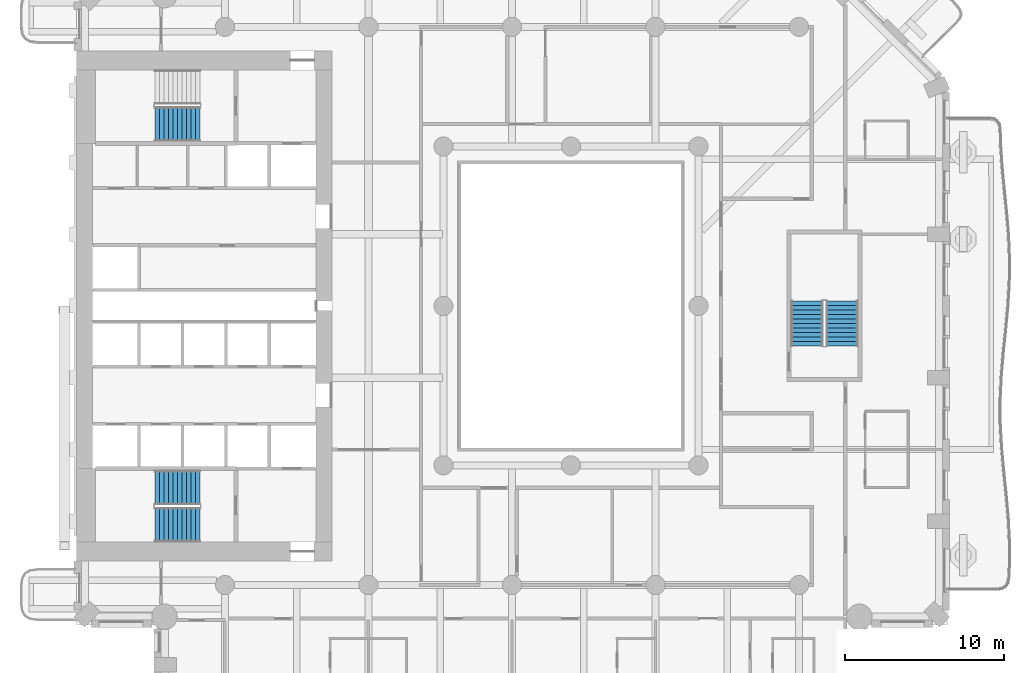
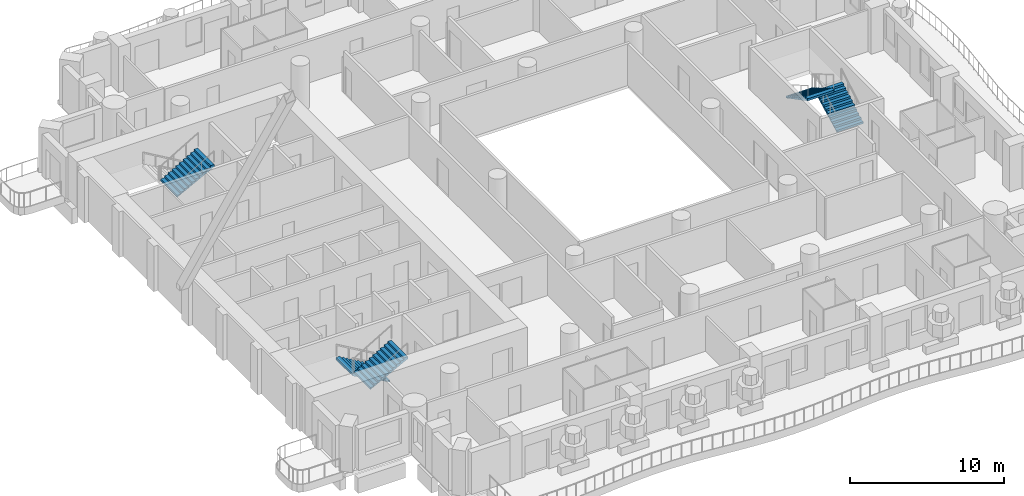
# One storey, part 11 of 20: 5 stair flights, 3 elements without a shape of their own.
"""IFC4 building model written with IfcOpenShell, lengths in metres."""

from ifc_helpers import new_model, si_unit, direction, frame, origin, place, context, subcontext, project, spatial, triangles, material, type_object, element, aggregate, save


model = new_model("IFC4")

# Units and contexts
model_context = context("Model", 3, precision=1e-05, world=origin(), true_north=direction((0.0, 1.0)))
body_context = subcontext(model_context, "Body", "Model", "MODEL_VIEW")
ifc_project = project(units=[si_unit("LENGTHUNIT", "METRE"), si_unit("AREAUNIT", "SQUARE_METRE"), si_unit("VOLUMEUNIT", "CUBIC_METRE"), si_unit("PLANEANGLEUNIT", "RADIAN"), si_unit("MASSUNIT", "GRAM", prefix="KILO")], contexts=[model_context])

# Site, building, storey
site_placement = place(None, origin())
site = spatial("IfcSite", under=ifc_project, at=site_placement, CompositionType="ELEMENT")
building_placement = place(site_placement, origin())
building = spatial("IfcBuilding", under=site, at=building_placement, Name="Cypress Arch Tower", CompositionType="ELEMENT")
storey_placement = place(building_placement, frame((0.0, 0.0, 73.5)))
storey = spatial("IfcBuildingStorey", under=building, at=storey_placement, Name="L12", CompositionType="ELEMENT", Elevation=73.5)

# Stair, stair flights
ifc_material_1 = material(Name="Concrete C40/50", Category="concrete")
stair_type_1 = type_object("IfcStairType", Name="Exit stair ES1636-200", PredefinedType="HALF_TURN_STAIR", material=ifc_material_1)
stair_1_placement = place(storey_placement, origin())
stair_1 = element("IfcStair", 1, at=stair_1_placement, inside=storey, type_object=stair_type_1, Name="L12 Exit stair C", PredefinedType="HALF_TURN_STAIR")
ifc_material_2 = material(Name="Concrete C40/50", Category="concrete")
stair_flight_type_1 = type_object("IfcStairFlightType", Name="Exit stair flight ES1636-200", PredefinedType="STRAIGHT", material=ifc_material_2)
stair_flight_1_placement = place(storey_placement, frame((18.0, -2.5, 0.0), z_axis=(0.0, 0.0, 1.0), x_axis=(0.0, 1.0, 0.0)))
stair_flight_1 = element("IfcStairFlight", 2, at=stair_flight_1_placement, type_object=stair_flight_type_1, Name="C flight 1", NumberOfRisers=11, NumberOfTreads=10, PredefinedType="STRAIGHT", RiserHeight=0.163636364, TreadLength=0.28, context=body_context, shape_type="Tessellation", body=[
    triangles([(0.0, -1.0, 0.0), (0.00048828125, -1.0, 0.054443359375), (0.00048828125, -1.0, 0.109130859375), (0.0, -1.0, 0.16357421875), (0.280029296875, -1.0, 0.16357421875), (0.280029296875, -1.0, 0.327392578125), (0.56005859375, -1.0, 0.327392578125), (0.56005859375, -1.0, 0.490966796875), (0.840087890625, -1.0, 0.490966796875), (0.840087890625, -1.0, 0.654541015625), (1.1201171875, -1.0, 0.654541015625), (1.1201171875, -1.0, 0.818115234375), (1.39990234375, -1.0, 0.818115234375), (1.39990234375, -1.0, 0.98193359375), (1.679931640625, -1.0, 0.98193359375), (1.679931640625, -1.0, 1.1455078125), (1.9599609375, -1.0, 1.1455078125), (1.9599609375, -1.0, 1.30908203125), (2.239990234375, -1.0, 1.30908203125), (2.239990234375, -1.0, 1.47265625), (2.52001953125, -1.0, 1.47265625), (2.52001953125, -1.0, 1.636474609375), (2.800048828125, -1.0, 1.636474609375), (2.799560546875, -1.0, 1.57861328125), (2.799560546875, -1.0, 1.5205078125), (2.800048828125, -1.0, 1.462646484375), (2.800048828125, 1.0, 1.462646484375), (2.799560546875, 1.0, 1.5205078125), (2.799560546875, 1.0, 1.57861328125), (2.800048828125, 1.0, 1.636474609375), (2.52001953125, 1.0, 1.636474609375), (2.52001953125, 1.0, 1.47265625), (2.239990234375, 1.0, 1.47265625), (2.239990234375, 1.0, 1.30908203125), (1.9599609375, 1.0, 1.30908203125), (1.9599609375, 1.0, 1.1455078125), (1.679931640625, 1.0, 1.1455078125), (1.679931640625, 1.0, 0.98193359375), (1.39990234375, 1.0, 0.98193359375), (1.39990234375, 1.0, 0.818115234375), (1.1201171875, 1.0, 0.818115234375), (1.1201171875, 1.0, 0.654541015625), (0.840087890625, 1.0, 0.654541015625), (0.840087890625, 1.0, 0.490966796875), (0.56005859375, 1.0, 0.490966796875), (0.56005859375, 1.0, 0.327392578125), (0.280029296875, 1.0, 0.327392578125), (0.280029296875, 1.0, 0.16357421875), (0.0, 1.0, 0.16357421875), (0.00048828125, 1.0, 0.109130859375), (0.00048828125, 1.0, 0.054443359375), (0.0, 1.0, 0.0), (2.799560546875, 0.0, 1.5205078125), (2.800048828125, 0.0, 1.462646484375), (2.799560546875, 0.0, 1.57861328125), (2.800048828125, 0.0, 1.636474609375), (2.52001953125, 0.0, 1.636474609375), (2.52001953125, 0.0, 1.47265625), (2.239990234375, 0.0, 1.47265625), (2.239990234375, 0.0, 1.30908203125), (1.9599609375, 0.0, 1.30908203125), (1.9599609375, 0.0, 1.1455078125), (1.679931640625, 0.0, 1.1455078125), (1.679931640625, 0.0, 0.98193359375), (1.39990234375, 0.0, 0.98193359375), (1.39990234375, 0.0, 0.818115234375), (1.1201171875, 0.0, 0.818115234375), (1.1201171875, 0.0, 0.654541015625), (0.840087890625, 0.0, 0.654541015625), (0.840087890625, 0.0, 0.490966796875), (0.56005859375, 0.0, 0.490966796875), (0.56005859375, 0.0, 0.327392578125), (0.280029296875, 0.0, 0.327392578125), (0.280029296875, 0.0, 0.16357421875), (0.0, 0.0, 0.16357421875), (0.00048828125, 0.0, 0.109130859375), (0.00048828125, 0.0, 0.054443359375), (0.0, 0.0, 0.0)], [[26, 25, 22], [25, 24, 22], [24, 23, 22], [15, 14, 13], [7, 6, 5], [13, 12, 11], [21, 20, 19], [19, 18, 17], [17, 16, 15], [11, 10, 9], [9, 8, 7], [4, 3, 5], [3, 2, 5], [2, 1, 5], [26, 22, 21], [26, 21, 19], [26, 19, 17], [26, 17, 15], [26, 15, 13], [26, 13, 11], [26, 11, 9], [26, 9, 7], [26, 7, 5], [26, 5, 1], [27, 31, 28], [28, 31, 29], [29, 31, 30], [38, 40, 39], [46, 48, 47], [40, 42, 41], [32, 34, 33], [34, 36, 35], [36, 38, 37], [42, 44, 43], [44, 46, 45], [49, 48, 50], [50, 48, 51], [51, 48, 52], [27, 32, 31], [27, 34, 32], [27, 36, 34], [27, 38, 36], [27, 40, 38], [27, 42, 40], [27, 44, 42], [27, 46, 44], [27, 48, 46], [27, 52, 48], [54, 53, 25], [54, 25, 26], [27, 28, 53], [27, 53, 54], [53, 55, 24], [53, 24, 25], [28, 29, 55], [28, 55, 53], [55, 56, 23], [55, 23, 24], [29, 30, 56], [29, 56, 55], [56, 57, 22], [56, 22, 23], [30, 31, 57], [30, 57, 56], [57, 58, 21], [57, 21, 22], [31, 32, 58], [31, 58, 57], [58, 59, 20], [58, 20, 21], [32, 33, 59], [32, 59, 58], [59, 60, 19], [59, 19, 20], [33, 34, 60], [33, 60, 59], [60, 61, 18], [60, 18, 19], [34, 35, 61], [34, 61, 60], [61, 62, 17], [61, 17, 18], [35, 36, 62], [35, 62, 61], [62, 63, 16], [62, 16, 17], [36, 37, 63], [36, 63, 62], [63, 64, 15], [63, 15, 16], [37, 38, 64], [37, 64, 63], [64, 65, 14], [64, 14, 15], [38, 39, 65], [38, 65, 64], [65, 66, 13], [65, 13, 14], [39, 40, 66], [39, 66, 65], [66, 67, 12], [66, 12, 13], [40, 41, 67], [40, 67, 66], [67, 68, 11], [67, 11, 12], [41, 42, 68], [41, 68, 67], [68, 69, 10], [68, 10, 11], [42, 43, 69], [42, 69, 68], [69, 70, 9], [69, 9, 10], [43, 44, 70], [43, 70, 69], [70, 71, 8], [70, 8, 9], [44, 45, 71], [44, 71, 70], [71, 72, 7], [71, 7, 8], [45, 46, 72], [45, 72, 71], [72, 73, 6], [72, 6, 7], [46, 47, 73], [46, 73, 72], [73, 74, 5], [73, 5, 6], [47, 48, 74], [47, 74, 73], [74, 75, 4], [74, 4, 5], [48, 49, 75], [48, 75, 74], [75, 76, 3], [75, 3, 4], [49, 50, 76], [49, 76, 75], [76, 77, 2], [76, 2, 3], [50, 51, 77], [50, 77, 76], [77, 78, 1], [77, 1, 2], [51, 52, 78], [51, 78, 77], [78, 54, 26], [78, 26, 1], [52, 27, 54], [52, 54, 78]], closed=True),
])
stair_flight_2_placement = place(storey_placement, frame((15.800048828125, 0.300048828125, 1.800048828125), z_axis=(0.0, 0.0, 1.0), x_axis=(0.0, -1.0, 0.0)))
stair_flight_2 = element("IfcStairFlight", 3, at=stair_flight_2_placement, type_object=stair_flight_type_1, Name="C flight 2", NumberOfRisers=11, NumberOfTreads=10, PredefinedType="STRAIGHT", RiserHeight=0.163636364, TreadLength=0.28, context=body_context, shape_type="Tessellation", body=[
    triangles([(0.0, -1.0, 0.0), (0.00048828125, -1.0, 0.054443359375), (0.00048828125, -1.0, 0.109130859375), (0.0, -1.0, 0.16357421875), (0.280029296875, -1.0, 0.16357421875), (0.280029296875, -1.0, 0.327392578125), (0.56005859375, -1.0, 0.327392578125), (0.56005859375, -1.0, 0.490966796875), (0.840087890625, -1.0, 0.490966796875), (0.840087890625, -1.0, 0.654541015625), (1.1201171875, -1.0, 0.654541015625), (1.1201171875, -1.0, 0.818115234375), (1.39990234375, -1.0, 0.818115234375), (1.39990234375, -1.0, 0.98193359375), (1.679931640625, -1.0, 0.98193359375), (1.679931640625, -1.0, 1.1455078125), (1.9599609375, -1.0, 1.1455078125), (1.9599609375, -1.0, 1.30908203125), (2.239990234375, -1.0, 1.30908203125), (2.239990234375, -1.0, 1.47265625), (2.52001953125, -1.0, 1.47265625), (2.52001953125, -1.0, 1.636474609375), (2.800048828125, -1.0, 1.636474609375), (2.799560546875, -1.0, 1.57861328125), (2.799560546875, -1.0, 1.5205078125), (2.800048828125, -1.0, 1.462646484375), (2.800048828125, 1.0, 1.462646484375), (2.799560546875, 1.0, 1.5205078125), (2.799560546875, 1.0, 1.57861328125), (2.800048828125, 1.0, 1.636474609375), (2.52001953125, 1.0, 1.636474609375), (2.52001953125, 1.0, 1.47265625), (2.239990234375, 1.0, 1.47265625), (2.239990234375, 1.0, 1.30908203125), (1.9599609375, 1.0, 1.30908203125), (1.9599609375, 1.0, 1.1455078125), (1.679931640625, 1.0, 1.1455078125), (1.679931640625, 1.0, 0.98193359375), (1.39990234375, 1.0, 0.98193359375), (1.39990234375, 1.0, 0.818115234375), (1.1201171875, 1.0, 0.818115234375), (1.1201171875, 1.0, 0.654541015625), (0.840087890625, 1.0, 0.654541015625), (0.840087890625, 1.0, 0.490966796875), (0.56005859375, 1.0, 0.490966796875), (0.56005859375, 1.0, 0.327392578125), (0.280029296875, 1.0, 0.327392578125), (0.280029296875, 1.0, 0.16357421875), (0.0, 1.0, 0.16357421875), (0.00048828125, 1.0, 0.109130859375), (0.00048828125, 1.0, 0.054443359375), (0.0, 1.0, 0.0), (2.799560546875, 0.0, 1.5205078125), (2.800048828125, 0.0, 1.462646484375), (2.799560546875, 0.0, 1.57861328125), (2.800048828125, 0.0, 1.636474609375), (2.52001953125, 0.0, 1.636474609375), (2.52001953125, 0.0, 1.47265625), (2.239990234375, 0.0, 1.47265625), (2.239990234375, 0.0, 1.30908203125), (1.9599609375, 0.0, 1.30908203125), (1.9599609375, 0.0, 1.1455078125), (1.679931640625, 0.0, 1.1455078125), (1.679931640625, 0.0, 0.98193359375), (1.39990234375, 0.0, 0.98193359375), (1.39990234375, 0.0, 0.818115234375), (1.1201171875, 0.0, 0.818115234375), (1.1201171875, 0.0, 0.654541015625), (0.840087890625, 0.0, 0.654541015625), (0.840087890625, 0.0, 0.490966796875), (0.56005859375, 0.0, 0.490966796875), (0.56005859375, 0.0, 0.327392578125), (0.280029296875, 0.0, 0.327392578125), (0.280029296875, 0.0, 0.16357421875), (0.0, 0.0, 0.16357421875), (0.00048828125, 0.0, 0.109130859375), (0.00048828125, 0.0, 0.054443359375), (0.0, 0.0, 0.0)], [[26, 25, 22], [25, 24, 22], [24, 23, 22], [15, 14, 13], [7, 6, 5], [13, 12, 11], [21, 20, 19], [19, 18, 17], [17, 16, 15], [11, 10, 9], [9, 8, 7], [4, 3, 5], [3, 2, 5], [2, 1, 5], [26, 22, 21], [26, 21, 19], [26, 19, 17], [26, 17, 15], [26, 15, 13], [26, 13, 11], [26, 11, 9], [26, 9, 7], [26, 7, 5], [26, 5, 1], [27, 31, 28], [28, 31, 29], [29, 31, 30], [38, 40, 39], [46, 48, 47], [40, 42, 41], [32, 34, 33], [34, 36, 35], [36, 38, 37], [42, 44, 43], [44, 46, 45], [49, 48, 50], [50, 48, 51], [51, 48, 52], [27, 32, 31], [27, 34, 32], [27, 36, 34], [27, 38, 36], [27, 40, 38], [27, 42, 40], [27, 44, 42], [27, 46, 44], [27, 48, 46], [27, 52, 48], [54, 53, 25], [54, 25, 26], [27, 28, 53], [27, 53, 54], [53, 55, 24], [53, 24, 25], [28, 29, 55], [28, 55, 53], [55, 56, 23], [55, 23, 24], [29, 30, 56], [29, 56, 55], [56, 57, 22], [56, 22, 23], [30, 31, 57], [30, 57, 56], [57, 58, 21], [57, 21, 22], [31, 32, 58], [31, 58, 57], [58, 59, 20], [58, 20, 21], [32, 33, 59], [32, 59, 58], [59, 60, 19], [59, 19, 20], [33, 34, 60], [33, 60, 59], [60, 61, 18], [60, 18, 19], [34, 35, 61], [34, 61, 60], [61, 62, 17], [61, 17, 18], [35, 36, 62], [35, 62, 61], [62, 63, 16], [62, 16, 17], [36, 37, 63], [36, 63, 62], [63, 64, 15], [63, 15, 16], [37, 38, 64], [37, 64, 63], [64, 65, 14], [64, 14, 15], [38, 39, 65], [38, 65, 64], [65, 66, 13], [65, 13, 14], [39, 40, 66], [39, 66, 65], [66, 67, 12], [66, 12, 13], [40, 41, 67], [40, 67, 66], [67, 68, 11], [67, 11, 12], [41, 42, 68], [41, 68, 67], [68, 69, 10], [68, 10, 11], [42, 43, 69], [42, 69, 68], [69, 70, 9], [69, 9, 10], [43, 44, 70], [43, 70, 69], [70, 71, 8], [70, 8, 9], [44, 45, 71], [44, 71, 70], [71, 72, 7], [71, 7, 8], [45, 46, 72], [45, 72, 71], [72, 73, 6], [72, 6, 7], [46, 47, 73], [46, 73, 72], [73, 74, 5], [73, 5, 6], [47, 48, 74], [47, 74, 73], [74, 75, 4], [74, 4, 5], [48, 49, 75], [48, 75, 74], [75, 76, 3], [75, 3, 4], [49, 50, 76], [49, 76, 75], [76, 77, 2], [76, 2, 3], [50, 51, 77], [50, 77, 76], [77, 78, 1], [77, 1, 2], [51, 52, 78], [51, 78, 77], [78, 54, 26], [78, 26, 1], [52, 27, 54], [52, 54, 78]], closed=True),
])
aggregate(stair_1, [stair_flight_1, stair_flight_2])

ifc_material_3 = material(Name="Concrete C40/50", Category="concrete")
stair_type_2 = type_object("IfcStairType", Name="Exit stair ES1636-215", PredefinedType="HALF_TURN_STAIR", material=ifc_material_3)
stair_2_placement = place(storey_placement, origin())
stair_2 = element("IfcStair", 4, at=stair_2_placement, inside=storey, type_object=stair_type_2, Name="L12 Exit stair A", PredefinedType="HALF_TURN_STAIR")
ifc_material_4 = material(Name="Concrete C40/50", Category="concrete")
stair_flight_type_2 = type_object("IfcStairFlightType", Name="Exit stair flight ES1636-215", PredefinedType="STRAIGHT", material=ifc_material_4)
stair_flight_3_placement = place(storey_placement, frame((-22.27490234375, -11.39990234375, 0.0), z_axis=(0.0, 0.0, 1.0), x_axis=(-1.0, 0.0, 0.0)))
stair_flight_3 = element("IfcStairFlight", 5, at=stair_flight_3_placement, type_object=stair_flight_type_2, Name="A flight 1", NumberOfRisers=11, NumberOfTreads=10, PredefinedType="STRAIGHT", RiserHeight=0.163636364, TreadLength=0.28, context=body_context, shape_type="Tessellation", body=[
    triangles([(0.0, -1.074951171875, 0.0), (0.000244140625, -1.074951171875, 0.03271484375), (0.00048828125, -1.074951171875, 0.0654296875), (0.00048828125, -1.074951171875, 0.09814453125), (0.000244140625, -1.074951171875, 0.130859375), (0.0, -1.074951171875, 0.16357421875), (0.280029296875, -1.074951171875, 0.16357421875), (0.280029296875, -1.074951171875, 0.327392578125), (0.56005859375, -1.074951171875, 0.327392578125), (0.56005859375, -1.074951171875, 0.490966796875), (0.840087890625, -1.074951171875, 0.490966796875), (0.840087890625, -1.074951171875, 0.654541015625), (1.1201171875, -1.074951171875, 0.654541015625), (1.1201171875, -1.074951171875, 0.818115234375), (1.39990234375, -1.074951171875, 0.818115234375), (1.39990234375, -1.074951171875, 0.98193359375), (1.679931640625, -1.074951171875, 0.98193359375), (1.679931640625, -1.074951171875, 1.1455078125), (1.9599609375, -1.074951171875, 1.1455078125), (1.9599609375, -1.074951171875, 1.30908203125), (2.239990234375, -1.074951171875, 1.30908203125), (2.239990234375, -1.074951171875, 1.47265625), (2.52001953125, -1.074951171875, 1.47265625), (2.52001953125, -1.074951171875, 1.636474609375), (2.800048828125, -1.074951171875, 1.636474609375), (2.7998046875, -1.074951171875, 1.601806640625), (2.799560546875, -1.074951171875, 1.56689453125), (2.799560546875, -1.074951171875, 1.5322265625), (2.7998046875, -1.074951171875, 1.497314453125), (2.800048828125, -1.074951171875, 1.462646484375), (2.800048828125, 1.074951171875, 1.462646484375), (2.7998046875, 1.074951171875, 1.497314453125), (2.799560546875, 1.074951171875, 1.5322265625), (2.799560546875, 1.074951171875, 1.56689453125), (2.7998046875, 1.074951171875, 1.601806640625), (2.800048828125, 1.074951171875, 1.636474609375), (2.52001953125, 1.074951171875, 1.636474609375), (2.52001953125, 1.074951171875, 1.47265625), (2.239990234375, 1.074951171875, 1.47265625), (2.239990234375, 1.074951171875, 1.30908203125), (1.9599609375, 1.074951171875, 1.30908203125), (1.9599609375, 1.074951171875, 1.1455078125), (1.679931640625, 1.074951171875, 1.1455078125), (1.679931640625, 1.074951171875, 0.98193359375), (1.39990234375, 1.074951171875, 0.98193359375), (1.39990234375, 1.074951171875, 0.818115234375), (1.1201171875, 1.074951171875, 0.818115234375), (1.1201171875, 1.074951171875, 0.654541015625), (0.840087890625, 1.074951171875, 0.654541015625), (0.840087890625, 1.074951171875, 0.490966796875), (0.56005859375, 1.074951171875, 0.490966796875), (0.56005859375, 1.074951171875, 0.327392578125), (0.280029296875, 1.074951171875, 0.327392578125), (0.280029296875, 1.074951171875, 0.16357421875), (0.0, 1.074951171875, 0.16357421875), (0.000244140625, 1.074951171875, 0.130859375), (0.00048828125, 1.074951171875, 0.09814453125), (0.00048828125, 1.074951171875, 0.0654296875), (0.000244140625, 1.074951171875, 0.03271484375), (0.0, 1.074951171875, 0.0), (2.7998046875, 0.0, 1.497314453125), (2.800048828125, 0.0, 1.462646484375), (2.799560546875, 0.0, 1.5322265625), (2.799560546875, 0.0, 1.56689453125), (2.7998046875, 0.0, 1.601806640625), (2.800048828125, 0.0, 1.636474609375), (2.52001953125, 0.0, 1.636474609375), (2.52001953125, 0.0, 1.47265625), (2.239990234375, 0.0, 1.47265625), (2.239990234375, 0.0, 1.30908203125), (1.9599609375, 0.0, 1.30908203125), (1.9599609375, 0.0, 1.1455078125), (1.679931640625, 0.0, 1.1455078125), (1.679931640625, 0.0, 0.98193359375), (1.39990234375, 0.0, 0.98193359375), (1.39990234375, 0.0, 0.818115234375), (1.1201171875, 0.0, 0.818115234375), (1.1201171875, 0.0, 0.654541015625), (0.840087890625, 0.0, 0.654541015625), (0.840087890625, 0.0, 0.490966796875), (0.56005859375, 0.0, 0.490966796875), (0.56005859375, 0.0, 0.327392578125), (0.280029296875, 0.0, 0.327392578125), (0.280029296875, 0.0, 0.16357421875), (0.0, 0.0, 0.16357421875), (0.000244140625, 0.0, 0.130859375), (0.00048828125, 0.0, 0.09814453125), (0.00048828125, 0.0, 0.0654296875), (0.000244140625, 0.0, 0.03271484375), (0.0, 0.0, 0.0)], [[30, 29, 24], [29, 28, 24], [28, 27, 24], [27, 26, 24], [26, 25, 24], [17, 16, 15], [9, 8, 7], [15, 14, 13], [23, 22, 21], [21, 20, 19], [19, 18, 17], [13, 12, 11], [11, 10, 9], [6, 5, 7], [5, 4, 7], [4, 3, 7], [3, 2, 7], [2, 1, 7], [30, 24, 23], [30, 23, 21], [30, 21, 19], [30, 19, 17], [30, 17, 15], [30, 15, 13], [30, 13, 11], [30, 11, 9], [30, 9, 7], [30, 7, 1], [31, 37, 32], [32, 37, 33], [33, 37, 34], [34, 37, 35], [35, 37, 36], [44, 46, 45], [52, 54, 53], [46, 48, 47], [38, 40, 39], [40, 42, 41], [42, 44, 43], [48, 50, 49], [50, 52, 51], [55, 54, 56], [56, 54, 57], [57, 54, 58], [58, 54, 59], [59, 54, 60], [31, 38, 37], [31, 40, 38], [31, 42, 40], [31, 44, 42], [31, 46, 44], [31, 48, 46], [31, 50, 48], [31, 52, 50], [31, 54, 52], [31, 60, 54], [62, 61, 29], [62, 29, 30], [31, 32, 61], [31, 61, 62], [61, 63, 28], [61, 28, 29], [32, 33, 63], [32, 63, 61], [63, 64, 27], [63, 27, 28], [33, 34, 64], [33, 64, 63], [64, 65, 26], [64, 26, 27], [34, 35, 65], [34, 65, 64], [65, 66, 25], [65, 25, 26], [35, 36, 66], [35, 66, 65], [66, 67, 24], [66, 24, 25], [36, 37, 67], [36, 67, 66], [67, 68, 23], [67, 23, 24], [37, 38, 68], [37, 68, 67], [68, 69, 22], [68, 22, 23], [38, 39, 69], [38, 69, 68], [69, 70, 21], [69, 21, 22], [39, 40, 70], [39, 70, 69], [70, 71, 20], [70, 20, 21], [40, 41, 71], [40, 71, 70], [71, 72, 19], [71, 19, 20], [41, 42, 72], [41, 72, 71], [72, 73, 18], [72, 18, 19], [42, 43, 73], [42, 73, 72], [73, 74, 17], [73, 17, 18], [43, 44, 74], [43, 74, 73], [74, 75, 16], [74, 16, 17], [44, 45, 75], [44, 75, 74], [75, 76, 15], [75, 15, 16], [45, 46, 76], [45, 76, 75], [76, 77, 14], [76, 14, 15], [46, 47, 77], [46, 77, 76], [77, 78, 13], [77, 13, 14], [47, 48, 78], [47, 78, 77], [78, 79, 12], [78, 12, 13], [48, 49, 79], [48, 79, 78], [79, 80, 11], [79, 11, 12], [49, 50, 80], [49, 80, 79], [80, 81, 10], [80, 10, 11], [50, 51, 81], [50, 81, 80], [81, 82, 9], [81, 9, 10], [51, 52, 82], [51, 82, 81], [82, 83, 8], [82, 8, 9], [52, 53, 83], [52, 83, 82], [83, 84, 7], [83, 7, 8], [53, 54, 84], [53, 84, 83], [84, 85, 6], [84, 6, 7], [54, 55, 85], [54, 85, 84], [85, 86, 5], [85, 5, 6], [55, 56, 86], [55, 86, 85], [86, 87, 4], [86, 4, 5], [56, 57, 87], [56, 87, 86], [87, 88, 3], [87, 3, 4], [57, 58, 88], [57, 88, 87], [88, 89, 2], [88, 2, 3], [58, 59, 89], [58, 89, 88], [89, 90, 1], [89, 1, 2], [59, 60, 90], [59, 90, 89], [90, 62, 30], [90, 30, 1], [60, 31, 62], [60, 62, 90]], closed=True),
])
stair_flight_4_placement = place(storey_placement, frame((-25.074951171875, -13.72509765625, 1.800048828125), z_axis=(0.0, 0.0, 1.0), x_axis=(1.0, 0.0, 0.0)))
stair_flight_4 = element("IfcStairFlight", 6, at=stair_flight_4_placement, type_object=stair_flight_type_2, Name="A flight 2", NumberOfRisers=11, NumberOfTreads=10, PredefinedType="STRAIGHT", RiserHeight=0.163636364, TreadLength=0.28, context=body_context, shape_type="Tessellation", body=[
    triangles([(0.0, -1.074951171875, 0.0), (0.000244140625, -1.074951171875, 0.03271484375), (0.00048828125, -1.074951171875, 0.0654296875), (0.00048828125, -1.074951171875, 0.09814453125), (0.000244140625, -1.074951171875, 0.130859375), (0.0, -1.074951171875, 0.16357421875), (0.280029296875, -1.074951171875, 0.16357421875), (0.280029296875, -1.074951171875, 0.327392578125), (0.56005859375, -1.074951171875, 0.327392578125), (0.56005859375, -1.074951171875, 0.490966796875), (0.840087890625, -1.074951171875, 0.490966796875), (0.840087890625, -1.074951171875, 0.654541015625), (1.1201171875, -1.074951171875, 0.654541015625), (1.1201171875, -1.074951171875, 0.818115234375), (1.39990234375, -1.074951171875, 0.818115234375), (1.39990234375, -1.074951171875, 0.98193359375), (1.679931640625, -1.074951171875, 0.98193359375), (1.679931640625, -1.074951171875, 1.1455078125), (1.9599609375, -1.074951171875, 1.1455078125), (1.9599609375, -1.074951171875, 1.30908203125), (2.239990234375, -1.074951171875, 1.30908203125), (2.239990234375, -1.074951171875, 1.47265625), (2.52001953125, -1.074951171875, 1.47265625), (2.52001953125, -1.074951171875, 1.636474609375), (2.800048828125, -1.074951171875, 1.636474609375), (2.7998046875, -1.074951171875, 1.601806640625), (2.799560546875, -1.074951171875, 1.56689453125), (2.799560546875, -1.074951171875, 1.5322265625), (2.7998046875, -1.074951171875, 1.497314453125), (2.800048828125, -1.074951171875, 1.462646484375), (2.800048828125, 1.074951171875, 1.462646484375), (2.7998046875, 1.074951171875, 1.497314453125), (2.799560546875, 1.074951171875, 1.5322265625), (2.799560546875, 1.074951171875, 1.56689453125), (2.7998046875, 1.074951171875, 1.601806640625), (2.800048828125, 1.074951171875, 1.636474609375), (2.52001953125, 1.074951171875, 1.636474609375), (2.52001953125, 1.074951171875, 1.47265625), (2.239990234375, 1.074951171875, 1.47265625), (2.239990234375, 1.074951171875, 1.30908203125), (1.9599609375, 1.074951171875, 1.30908203125), (1.9599609375, 1.074951171875, 1.1455078125), (1.679931640625, 1.074951171875, 1.1455078125), (1.679931640625, 1.074951171875, 0.98193359375), (1.39990234375, 1.074951171875, 0.98193359375), (1.39990234375, 1.074951171875, 0.818115234375), (1.1201171875, 1.074951171875, 0.818115234375), (1.1201171875, 1.074951171875, 0.654541015625), (0.840087890625, 1.074951171875, 0.654541015625), (0.840087890625, 1.074951171875, 0.490966796875), (0.56005859375, 1.074951171875, 0.490966796875), (0.56005859375, 1.074951171875, 0.327392578125), (0.280029296875, 1.074951171875, 0.327392578125), (0.280029296875, 1.074951171875, 0.16357421875), (0.0, 1.074951171875, 0.16357421875), (0.000244140625, 1.074951171875, 0.130859375), (0.00048828125, 1.074951171875, 0.09814453125), (0.00048828125, 1.074951171875, 0.0654296875), (0.000244140625, 1.074951171875, 0.03271484375), (0.0, 1.074951171875, 0.0), (2.7998046875, 0.0, 1.497314453125), (2.800048828125, 0.0, 1.462646484375), (2.799560546875, 0.0, 1.5322265625), (2.799560546875, 0.0, 1.56689453125), (2.7998046875, 0.0, 1.601806640625), (2.800048828125, 0.0, 1.636474609375), (2.52001953125, 0.0, 1.636474609375), (2.52001953125, 0.0, 1.47265625), (2.239990234375, 0.0, 1.47265625), (2.239990234375, 0.0, 1.30908203125), (1.9599609375, 0.0, 1.30908203125), (1.9599609375, 0.0, 1.1455078125), (1.679931640625, 0.0, 1.1455078125), (1.679931640625, 0.0, 0.98193359375), (1.39990234375, 0.0, 0.98193359375), (1.39990234375, 0.0, 0.818115234375), (1.1201171875, 0.0, 0.818115234375), (1.1201171875, 0.0, 0.654541015625), (0.840087890625, 0.0, 0.654541015625), (0.840087890625, 0.0, 0.490966796875), (0.56005859375, 0.0, 0.490966796875), (0.56005859375, 0.0, 0.327392578125), (0.280029296875, 0.0, 0.327392578125), (0.280029296875, 0.0, 0.16357421875), (0.0, 0.0, 0.16357421875), (0.000244140625, 0.0, 0.130859375), (0.00048828125, 0.0, 0.09814453125), (0.00048828125, 0.0, 0.0654296875), (0.000244140625, 0.0, 0.03271484375), (0.0, 0.0, 0.0)], [[30, 29, 24], [29, 28, 24], [28, 27, 24], [27, 26, 24], [26, 25, 24], [17, 16, 15], [9, 8, 7], [15, 14, 13], [23, 22, 21], [21, 20, 19], [19, 18, 17], [13, 12, 11], [11, 10, 9], [6, 5, 7], [5, 4, 7], [4, 3, 7], [3, 2, 7], [2, 1, 7], [30, 24, 23], [30, 23, 21], [30, 21, 19], [30, 19, 17], [30, 17, 15], [30, 15, 13], [30, 13, 11], [30, 11, 9], [30, 9, 7], [30, 7, 1], [31, 37, 32], [32, 37, 33], [33, 37, 34], [34, 37, 35], [35, 37, 36], [44, 46, 45], [52, 54, 53], [46, 48, 47], [38, 40, 39], [40, 42, 41], [42, 44, 43], [48, 50, 49], [50, 52, 51], [55, 54, 56], [56, 54, 57], [57, 54, 58], [58, 54, 59], [59, 54, 60], [31, 38, 37], [31, 40, 38], [31, 42, 40], [31, 44, 42], [31, 46, 44], [31, 48, 46], [31, 50, 48], [31, 52, 50], [31, 54, 52], [31, 60, 54], [62, 61, 29], [62, 29, 30], [31, 32, 61], [31, 61, 62], [61, 63, 28], [61, 28, 29], [32, 33, 63], [32, 63, 61], [63, 64, 27], [63, 27, 28], [33, 34, 64], [33, 64, 63], [64, 65, 26], [64, 26, 27], [34, 35, 65], [34, 65, 64], [65, 66, 25], [65, 25, 26], [35, 36, 66], [35, 66, 65], [66, 67, 24], [66, 24, 25], [36, 37, 67], [36, 67, 66], [67, 68, 23], [67, 23, 24], [37, 38, 68], [37, 68, 67], [68, 69, 22], [68, 22, 23], [38, 39, 69], [38, 69, 68], [69, 70, 21], [69, 21, 22], [39, 40, 70], [39, 70, 69], [70, 71, 20], [70, 20, 21], [40, 41, 71], [40, 71, 70], [71, 72, 19], [71, 19, 20], [41, 42, 72], [41, 72, 71], [72, 73, 18], [72, 18, 19], [42, 43, 73], [42, 73, 72], [73, 74, 17], [73, 17, 18], [43, 44, 74], [43, 74, 73], [74, 75, 16], [74, 16, 17], [44, 45, 75], [44, 75, 74], [75, 76, 15], [75, 15, 16], [45, 46, 76], [45, 76, 75], [76, 77, 14], [76, 14, 15], [46, 47, 77], [46, 77, 76], [77, 78, 13], [77, 13, 14], [47, 48, 78], [47, 78, 77], [78, 79, 12], [78, 12, 13], [48, 49, 79], [48, 79, 78], [79, 80, 11], [79, 11, 12], [49, 50, 80], [49, 80, 79], [80, 81, 10], [80, 10, 11], [50, 51, 81], [50, 81, 80], [81, 82, 9], [81, 9, 10], [51, 52, 82], [51, 82, 81], [82, 83, 8], [82, 8, 9], [52, 53, 83], [52, 83, 82], [83, 84, 7], [83, 7, 8], [53, 54, 84], [53, 84, 83], [84, 85, 6], [84, 6, 7], [54, 55, 85], [54, 85, 84], [85, 86, 5], [85, 5, 6], [55, 56, 86], [55, 86, 85], [86, 87, 4], [86, 4, 5], [56, 57, 87], [56, 87, 86], [87, 88, 3], [87, 3, 4], [57, 58, 88], [57, 88, 87], [88, 89, 2], [88, 2, 3], [58, 59, 89], [58, 89, 88], [89, 90, 1], [89, 1, 2], [59, 60, 90], [59, 90, 89], [90, 62, 30], [90, 30, 1], [60, 31, 62], [60, 62, 90]], closed=True),
])
aggregate(stair_2, [stair_flight_3, stair_flight_4])

# Stair, stair flight
stair_3_placement = place(storey_placement, origin())
stair_3 = element("IfcStair", 7, at=stair_3_placement, inside=storey, type_object=stair_type_2, Name="L12 Exit stair B", PredefinedType="HALF_TURN_STAIR")
stair_flight_5_placement = place(storey_placement, frame((-25.074951171875, 11.39990234375, 1.800048828125), z_axis=(0.0, 0.0, 1.0), x_axis=(1.0, 0.0, 0.0)))
stair_flight_5 = element("IfcStairFlight", 8, at=stair_flight_5_placement, type_object=stair_flight_type_2, Name="B flight 2", NumberOfRisers=11, NumberOfTreads=10, PredefinedType="STRAIGHT", RiserHeight=0.163636364, TreadLength=0.28, context=body_context, shape_type="Tessellation", body=[
    triangles([(0.0, -1.074951171875, 0.0), (0.000244140625, -1.074951171875, 0.03271484375), (0.00048828125, -1.074951171875, 0.0654296875), (0.00048828125, -1.074951171875, 0.09814453125), (0.000244140625, -1.074951171875, 0.130859375), (0.0, -1.074951171875, 0.16357421875), (0.280029296875, -1.074951171875, 0.16357421875), (0.280029296875, -1.074951171875, 0.327392578125), (0.56005859375, -1.074951171875, 0.327392578125), (0.56005859375, -1.074951171875, 0.490966796875), (0.840087890625, -1.074951171875, 0.490966796875), (0.840087890625, -1.074951171875, 0.654541015625), (1.1201171875, -1.074951171875, 0.654541015625), (1.1201171875, -1.074951171875, 0.818115234375), (1.39990234375, -1.074951171875, 0.818115234375), (1.39990234375, -1.074951171875, 0.98193359375), (1.679931640625, -1.074951171875, 0.98193359375), (1.679931640625, -1.074951171875, 1.1455078125), (1.9599609375, -1.074951171875, 1.1455078125), (1.9599609375, -1.074951171875, 1.30908203125), (2.239990234375, -1.074951171875, 1.30908203125), (2.239990234375, -1.074951171875, 1.47265625), (2.52001953125, -1.074951171875, 1.47265625), (2.52001953125, -1.074951171875, 1.636474609375), (2.800048828125, -1.074951171875, 1.636474609375), (2.7998046875, -1.074951171875, 1.601806640625), (2.799560546875, -1.074951171875, 1.56689453125), (2.799560546875, -1.074951171875, 1.5322265625), (2.7998046875, -1.074951171875, 1.497314453125), (2.800048828125, -1.074951171875, 1.462646484375), (2.800048828125, 1.074951171875, 1.462646484375), (2.7998046875, 1.074951171875, 1.497314453125), (2.799560546875, 1.074951171875, 1.5322265625), (2.799560546875, 1.074951171875, 1.56689453125), (2.7998046875, 1.074951171875, 1.601806640625), (2.800048828125, 1.074951171875, 1.636474609375), (2.52001953125, 1.074951171875, 1.636474609375), (2.52001953125, 1.074951171875, 1.47265625), (2.239990234375, 1.074951171875, 1.47265625), (2.239990234375, 1.074951171875, 1.30908203125), (1.9599609375, 1.074951171875, 1.30908203125), (1.9599609375, 1.074951171875, 1.1455078125), (1.679931640625, 1.074951171875, 1.1455078125), (1.679931640625, 1.074951171875, 0.98193359375), (1.39990234375, 1.074951171875, 0.98193359375), (1.39990234375, 1.074951171875, 0.818115234375), (1.1201171875, 1.074951171875, 0.818115234375), (1.1201171875, 1.074951171875, 0.654541015625), (0.840087890625, 1.074951171875, 0.654541015625), (0.840087890625, 1.074951171875, 0.490966796875), (0.56005859375, 1.074951171875, 0.490966796875), (0.56005859375, 1.074951171875, 0.327392578125), (0.280029296875, 1.074951171875, 0.327392578125), (0.280029296875, 1.074951171875, 0.16357421875), (0.0, 1.074951171875, 0.16357421875), (0.000244140625, 1.074951171875, 0.130859375), (0.00048828125, 1.074951171875, 0.09814453125), (0.00048828125, 1.074951171875, 0.0654296875), (0.000244140625, 1.074951171875, 0.03271484375), (0.0, 1.074951171875, 0.0), (2.7998046875, 0.0, 1.497314453125), (2.800048828125, 0.0, 1.462646484375), (2.799560546875, 0.0, 1.5322265625), (2.799560546875, 0.0, 1.56689453125), (2.7998046875, 0.0, 1.601806640625), (2.800048828125, 0.0, 1.636474609375), (2.52001953125, 0.0, 1.636474609375), (2.52001953125, 0.0, 1.47265625), (2.239990234375, 0.0, 1.47265625), (2.239990234375, 0.0, 1.30908203125), (1.9599609375, 0.0, 1.30908203125), (1.9599609375, 0.0, 1.1455078125), (1.679931640625, 0.0, 1.1455078125), (1.679931640625, 0.0, 0.98193359375), (1.39990234375, 0.0, 0.98193359375), (1.39990234375, 0.0, 0.818115234375), (1.1201171875, 0.0, 0.818115234375), (1.1201171875, 0.0, 0.654541015625), (0.840087890625, 0.0, 0.654541015625), (0.840087890625, 0.0, 0.490966796875), (0.56005859375, 0.0, 0.490966796875), (0.56005859375, 0.0, 0.327392578125), (0.280029296875, 0.0, 0.327392578125), (0.280029296875, 0.0, 0.16357421875), (0.0, 0.0, 0.16357421875), (0.000244140625, 0.0, 0.130859375), (0.00048828125, 0.0, 0.09814453125), (0.00048828125, 0.0, 0.0654296875), (0.000244140625, 0.0, 0.03271484375), (0.0, 0.0, 0.0)], [[30, 29, 24], [29, 28, 24], [28, 27, 24], [27, 26, 24], [26, 25, 24], [17, 16, 15], [9, 8, 7], [15, 14, 13], [23, 22, 21], [21, 20, 19], [19, 18, 17], [13, 12, 11], [11, 10, 9], [6, 5, 7], [5, 4, 7], [4, 3, 7], [3, 2, 7], [2, 1, 7], [30, 24, 23], [30, 23, 21], [30, 21, 19], [30, 19, 17], [30, 17, 15], [30, 15, 13], [30, 13, 11], [30, 11, 9], [30, 9, 7], [30, 7, 1], [31, 37, 32], [32, 37, 33], [33, 37, 34], [34, 37, 35], [35, 37, 36], [44, 46, 45], [52, 54, 53], [46, 48, 47], [38, 40, 39], [40, 42, 41], [42, 44, 43], [48, 50, 49], [50, 52, 51], [55, 54, 56], [56, 54, 57], [57, 54, 58], [58, 54, 59], [59, 54, 60], [31, 38, 37], [31, 40, 38], [31, 42, 40], [31, 44, 42], [31, 46, 44], [31, 48, 46], [31, 50, 48], [31, 52, 50], [31, 54, 52], [31, 60, 54], [62, 61, 29], [62, 29, 30], [31, 32, 61], [31, 61, 62], [61, 63, 28], [61, 28, 29], [32, 33, 63], [32, 63, 61], [63, 64, 27], [63, 27, 28], [33, 34, 64], [33, 64, 63], [64, 65, 26], [64, 26, 27], [34, 35, 65], [34, 65, 64], [65, 66, 25], [65, 25, 26], [35, 36, 66], [35, 66, 65], [66, 67, 24], [66, 24, 25], [36, 37, 67], [36, 67, 66], [67, 68, 23], [67, 23, 24], [37, 38, 68], [37, 68, 67], [68, 69, 22], [68, 22, 23], [38, 39, 69], [38, 69, 68], [69, 70, 21], [69, 21, 22], [39, 40, 70], [39, 70, 69], [70, 71, 20], [70, 20, 21], [40, 41, 71], [40, 71, 70], [71, 72, 19], [71, 19, 20], [41, 42, 72], [41, 72, 71], [72, 73, 18], [72, 18, 19], [42, 43, 73], [42, 73, 72], [73, 74, 17], [73, 17, 18], [43, 44, 74], [43, 74, 73], [74, 75, 16], [74, 16, 17], [44, 45, 75], [44, 75, 74], [75, 76, 15], [75, 15, 16], [45, 46, 76], [45, 76, 75], [76, 77, 14], [76, 14, 15], [46, 47, 77], [46, 77, 76], [77, 78, 13], [77, 13, 14], [47, 48, 78], [47, 78, 77], [78, 79, 12], [78, 12, 13], [48, 49, 79], [48, 79, 78], [79, 80, 11], [79, 11, 12], [49, 50, 80], [49, 80, 79], [80, 81, 10], [80, 10, 11], [50, 51, 81], [50, 81, 80], [81, 82, 9], [81, 9, 10], [51, 52, 82], [51, 82, 81], [82, 83, 8], [82, 8, 9], [52, 53, 83], [52, 83, 82], [83, 84, 7], [83, 7, 8], [53, 54, 84], [53, 84, 83], [84, 85, 6], [84, 6, 7], [54, 55, 85], [54, 85, 84], [85, 86, 5], [85, 5, 6], [55, 56, 86], [55, 86, 85], [86, 87, 4], [86, 4, 5], [56, 57, 87], [56, 87, 86], [87, 88, 3], [87, 3, 4], [57, 58, 88], [57, 88, 87], [88, 89, 2], [88, 2, 3], [58, 59, 89], [58, 89, 88], [89, 90, 1], [89, 1, 2], [59, 60, 90], [59, 90, 89], [90, 62, 30], [90, 30, 1], [60, 31, 62], [60, 62, 90]], closed=True),
])
aggregate(stair_3, [stair_flight_5])

save(model, "model.ifc")
